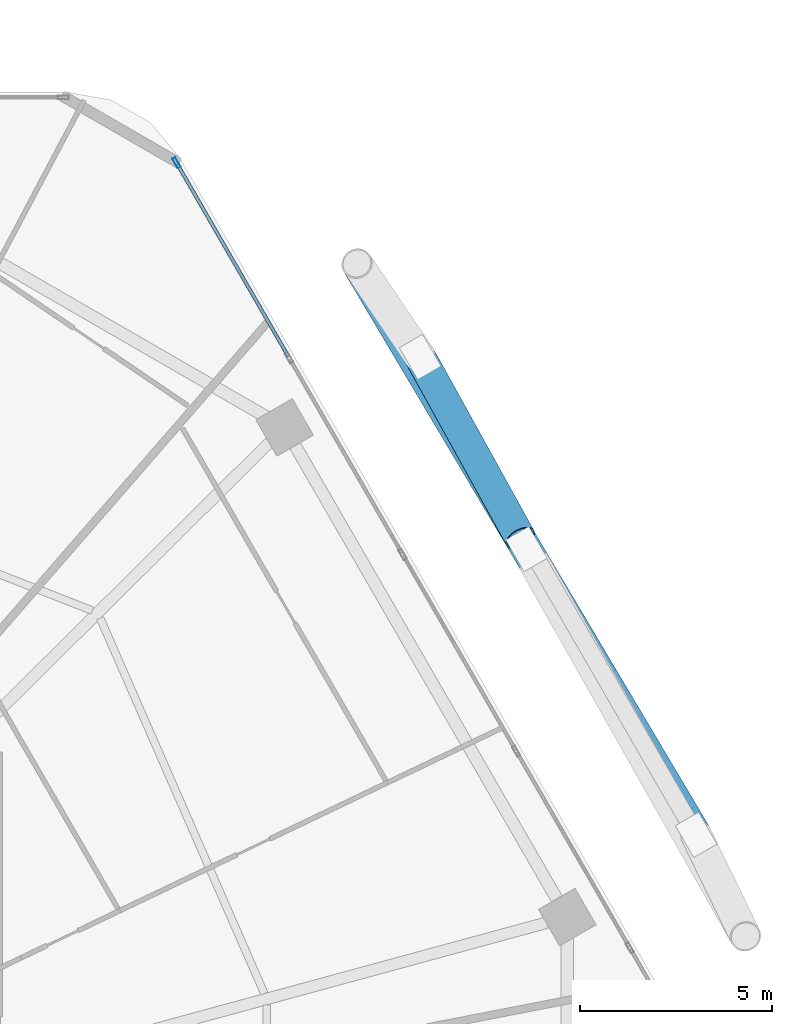
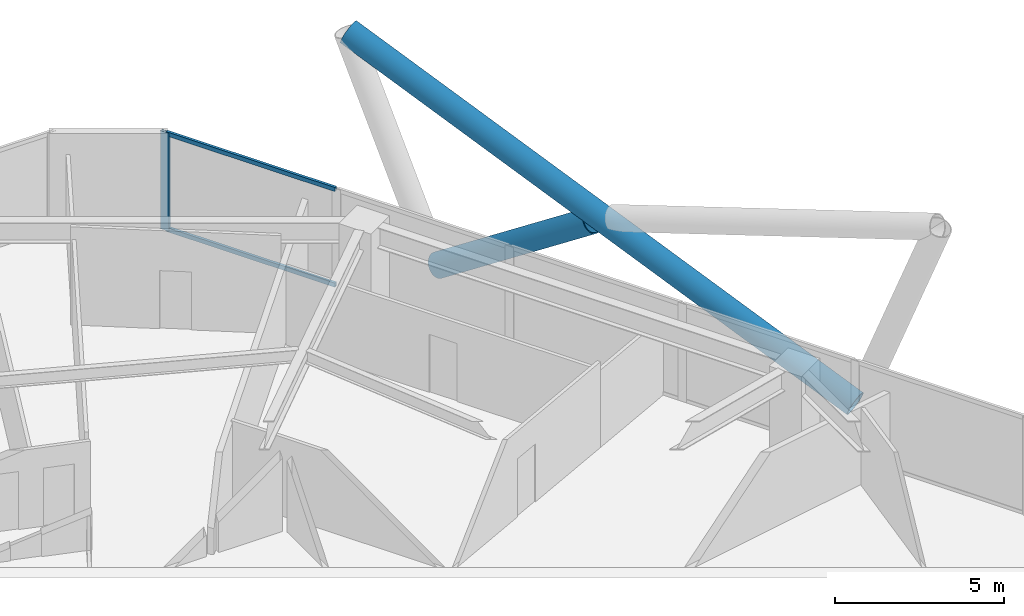
# One storey, part 24 of 34: 5 members, 1 element without a shape of its own.
"""IFC4 building model written with IfcOpenShell, lengths in metres."""

from ifc_helpers import new_model, si_unit, direction, frame, origin, origin_2d, place, context, subcontext, project, spatial, hollow_rectangle, hollow_circle, extrude, material, material_profile, profile_set, type_object, element, aggregate, save


model = new_model("IFC4")

# Units and contexts
model_context = context("Model", 3, precision=1e-05, world=origin(), true_north=direction((0.0, 1.0)))
body_context = subcontext(model_context, "Body", "Model", "MODEL_VIEW")
ifc_project = project(units=[si_unit("LENGTHUNIT", "METRE"), si_unit("AREAUNIT", "SQUARE_METRE"), si_unit("VOLUMEUNIT", "CUBIC_METRE"), si_unit("PLANEANGLEUNIT", "RADIAN"), si_unit("MASSUNIT", "GRAM", prefix="KILO")], contexts=[model_context])

# Site, building, storey
site_placement = place(None, origin())
site = spatial("IfcSite", under=ifc_project, at=site_placement, CompositionType="ELEMENT")
building_placement = place(site_placement, origin())
building = spatial("IfcBuilding", under=site, at=building_placement, Name="Zuhravey Tower", CompositionType="ELEMENT")
storey_placement = place(building_placement, frame((0.0, 0.0, 130.39990234375)))
storey = spatial("IfcBuildingStorey", under=building, at=storey_placement, Name="L32", CompositionType="ELEMENT", Elevation=130.39990234375)

# Curtain wall, members
ifc_material_1 = material(Name="Thermally broken anodised aluminium", Category="aluminium")
curtain_wall_type = type_object("IfcCurtainWallType", Name="Zone 1-2 Residential Curtain Wall CW3", PredefinedType="NOTDEFINED", material=ifc_material_1)
curtain_wall_placement = place(storey_placement, origin())
curtain_wall = element("IfcCurtainWall", 1, at=curtain_wall_placement, inside=storey, type_object=curtain_wall_type, Name="L32 CW3 CW-L32-F1-1", PredefinedType="NOTDEFINED")
ifc_material_2 = material(Name="Anodised aluminium", Category="aluminium")
ifc_material_profile_1 = material_profile(ifc_material_2, hollow_rectangle(XDim=0.090087890625, YDim=0.284912109375, WallThickness=0.0048828125, at=origin_2d()), Name="ALU-RHS-90x285x5")
ifc_profile_set_1 = profile_set([ifc_material_profile_1], Name="Anodised aluminium")
member_type_1 = type_object("IfcMemberType", Name="Curtain-Wall Mullion 90x180", PredefinedType="MULLION", material=ifc_profile_set_1)
member_1_placement = place(storey_placement, frame((53.701416015625, 59.257080078125, 0.0), z_axis=(0.0, 0.0, 1.0), x_axis=(0.86602552265, 0.499999794119, 0.0)))
member_1 = element("IfcMember", 2, at=member_1_placement, type_object=member_type_1, Name="CW3 mullion 1", PredefinedType="MULLION", context=body_context, shape_type="SweptSolid", body=[
    extrude(hollow_rectangle(XDim=0.090087890625, YDim=0.284912109375, WallThickness=0.0048828125, at=origin_2d()), origin(), (0.0, 0.0, 1.0), 3.550048828125),
])
ifc_material_profile_2 = material_profile(ifc_material_2, hollow_rectangle(XDim=0.090087890625, YDim=0.14990234375, WallThickness=0.0048828125, at=origin_2d()), Name="ALU-RHS-90x150x5")
ifc_profile_set_2 = profile_set([ifc_material_profile_2], Name="Anodised aluminium")
member_type_2 = type_object("IfcMemberType", Name="Curtain-Wall Transom 90x150", PredefinedType="USERDEFINED", material=ifc_profile_set_2)
member_2_placement = place(storey_placement, frame((53.72412109375, 59.218017578125, 0.045166015625), z_axis=(0.499992798144, -0.866029561738, 0.0), x_axis=(0.866029561738, 0.499992798144, 0.0)))
member_2 = element("IfcMember", 3, at=member_2_placement, type_object=member_type_2, Name="CW3 transom 1.1", ObjectType="TRANSOM", PredefinedType="USERDEFINED", context=body_context, shape_type="SweptSolid", body=[
    extrude(hollow_rectangle(XDim=0.090087890625, YDim=0.14990234375, WallThickness=0.0048828125, at=origin_2d()), origin(), (0.0, 0.0, 1.0), 5.78466796875),
])
member_3_placement = place(storey_placement, frame((53.72412109375, 59.218017578125, 3.505126953125), z_axis=(0.499992798144, -0.866029561738, 0.0), x_axis=(0.866029561738, 0.499992798144, 0.0)))
member_3 = element("IfcMember", 4, at=member_3_placement, type_object=member_type_2, Name="CW3 transom 1.2", ObjectType="TRANSOM", PredefinedType="USERDEFINED", context=body_context, shape_type="SweptSolid", body=[
    extrude(hollow_rectangle(XDim=0.090087890625, YDim=0.14990234375, WallThickness=0.0048828125, at=origin_2d()), origin(), (0.0, 0.0, 1.0), 5.78466796875),
])
aggregate(curtain_wall, [member_1, member_2, member_3])

# Members
ifc_material_3 = material(Name="Steel SM460", Category="steel")
ifc_material_profile_3 = material_profile(ifc_material_3, hollow_circle(Radius=0.406494140625, WallThickness=0.035888671875, at=origin_2d()), Name="CHS-812.8x36")
ifc_profile_set_3 = profile_set([ifc_material_profile_3], Name="Steel SM460")
member_type_3 = type_object("IfcMemberType", Name="Exoskeleton Zone 1 Diagrid CHS813x36", PredefinedType="BRACE", material=ifc_profile_set_3)
member_4_placement = place(storey_placement, frame((67.22216796875, 41.77734375, -0.44189453125), z_axis=(-0.467482434712, 0.787523909458, 0.401579712221), x_axis=(-0.85990741204, -0.510450039395, 0.0)))
element("IfcMember", 5, at=member_4_placement, inside=storey, type_object=member_type_3, Name="L32 Face 1 Diagrid Brace 2", PredefinedType="BRACE", context=body_context, shape_type="SweptSolid", body=[
    extrude(hollow_circle(Radius=0.406494140625, WallThickness=0.035888671875, at=origin_2d()), origin(), (0.0, 0.0, 1.0), 18.8154296875),
])
member_5_placement = place(storey_placement, frame((60.076171875, 54.154296875, -0.43359375), z_axis=(0.403226628328, -0.729010617728, 0.553129103778), x_axis=(0.875062432141, 0.48401006173, 0.0)))
element("IfcMember", 6, at=member_5_placement, inside=storey, type_object=member_type_3, Name="L32 Face 1 Split Diagrid Brace 3A", PredefinedType="BRACE", context=body_context, shape_type="SweptSolid", body=[
    extrude(hollow_circle(Radius=0.406494140625, WallThickness=0.035888671875, at=origin_2d()), origin(), (0.0, 0.0, 1.0), 6.41845703125),
])

save(model, "model.ifc")
